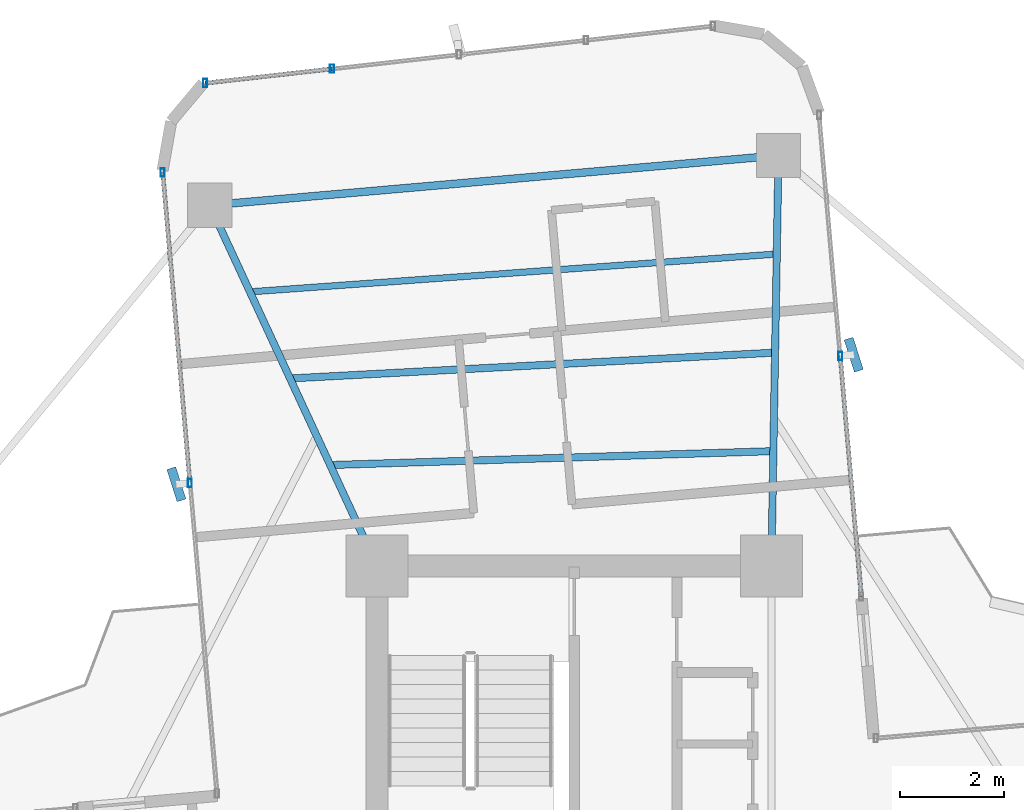
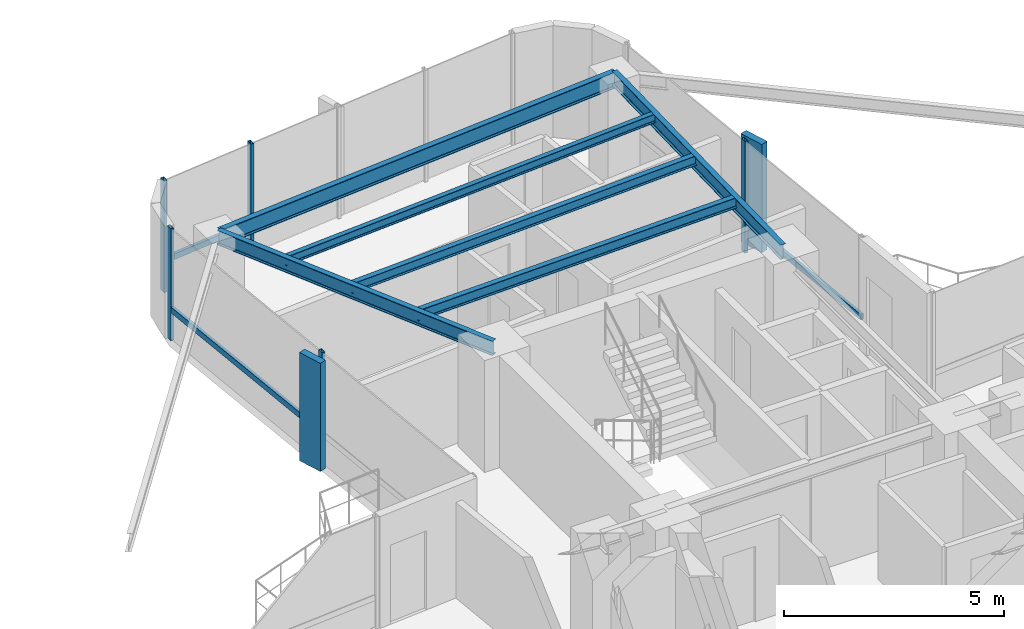
# One storey, part 16 of 24: 10 members, 6 beams, 3 elements without a shape of their own.
"""IFC4 building model written with IfcOpenShell, lengths in metres."""

import ifcopenshell
import ifcopenshell.guid

model = None  # the IFC model being written
_history = None  # IfcOwnerHistory: only IFC2X3 demands one
_inside = {}  # id of a spatial element -> (the spatial element, [elements in it])
_under = {}  # id of a project, library or spatial element -> (it, [spatial elements below it])
_declared = {}  # id of a project -> (the project, [libraries it declares])
_typed = {}  # id of a type object -> (the type object, [elements of that type])
_made_of = {}  # id of a material, layer set ... -> (it, [elements and type objects made of it])


def new_model(schema):
    """Start an empty IFC model of exactly this schema.

    Asked for "IFC4X3", IfcOpenShell would pick the latest addendum, in which some entities
    have other attributes; the version numbers below select the first issue.
    IFC2X3 requires an IfcOwnerHistory on every rooted entity: one is made here for all.
    """
    global model, _history
    if schema == "IFC4X3":
        model = ifcopenshell.file(schema_version=(4, 3, 0, 0))
    else:
        model = ifcopenshell.file(schema=schema)
    _inside.clear()
    _under.clear()
    _declared.clear()
    _typed.clear()
    _made_of.clear()
    _history = None
    if model.schema == "IFC2X3":
        org = make("IfcOrganization", Name="unknown")
        user = make(
            "IfcPersonAndOrganization",
            ThePerson=make("IfcPerson", FamilyName="unknown"),
            TheOrganization=org,
        )
        app = make(
            "IfcApplication",
            ApplicationDeveloper=org,
            Version="unknown",
            ApplicationFullName="unknown",
            ApplicationIdentifier="unknown",
        )
        _history = make(
            "IfcOwnerHistory",
            OwningUser=user,
            OwningApplication=app,
            ChangeAction="ADDED",
            CreationDate=0,
        )
    return model


def make(cls, **values):
    """One entity of the class cls with the attributes given. An attribute that is None is left unset."""
    return model.create_entity(
        cls, **{name: value for name, value in values.items() if value is not None}
    )


def rooted(cls, **values):
    """An entity with a GlobalId (a new one), such as an element, a storey or a relation."""
    return make(cls, GlobalId=ifcopenshell.guid.new(), OwnerHistory=_history, **values)


def si_unit(unit_type, name, prefix=None):
    """IfcSIUnit, for example si_unit("LENGTHUNIT", "METRE", prefix="MILLI")."""
    return make("IfcSIUnit", UnitType=unit_type, Prefix=prefix, Name=name)


def assignment(units):
    """IfcUnitAssignment: the units of a project."""
    return None if units is None else make("IfcUnitAssignment", Units=units)


def point(xyz):
    """IfcCartesianPoint."""
    return None if xyz is None else make("IfcCartesianPoint", Coordinates=xyz)


def direction(xyz):
    """IfcDirection."""
    return None if xyz is None else make("IfcDirection", DirectionRatios=xyz)


def frame(location, z_axis=None, x_axis=None):
    """IfcAxis2Placement3D, a coordinate frame: its origin and axes. An axis left out is left unset."""
    return make(
        "IfcAxis2Placement3D",
        Location=point(location),
        Axis=direction(z_axis),
        RefDirection=direction(x_axis),
    )


def frame_2d(location, x_axis=None):
    """IfcAxis2Placement2D, a coordinate frame in the plane: its origin and x axis."""
    return make(
        "IfcAxis2Placement2D", Location=point(location), RefDirection=direction(x_axis)
    )


def origin():
    """The frame at (0, 0, 0) with its axes left unset."""
    return frame((0.0, 0.0, 0.0))


def origin_2d():
    """The frame at (0, 0) in the plane with its x axis left unset."""
    return frame_2d((0.0, 0.0))


def place(relative_to, where):
    """IfcLocalPlacement: puts the frame where relative to a parent placement (None: the world)."""
    return make(
        "IfcLocalPlacement", PlacementRelTo=relative_to, RelativePlacement=where
    )


def context(
    kind, dimensions, precision=None, world=None, true_north=None, identifier=None
):
    """IfcGeometricRepresentationContext, for example the 3D "Model" context."""
    return make(
        "IfcGeometricRepresentationContext",
        ContextIdentifier=identifier,
        ContextType=kind,
        CoordinateSpaceDimension=dimensions,
        Precision=precision,
        WorldCoordinateSystem=world,
        TrueNorth=true_north,
    )


def subcontext(parent, identifier, kind, view, scale=None):
    """IfcGeometricRepresentationSubContext, for example "Body" below "Model"."""
    return make(
        "IfcGeometricRepresentationSubContext",
        ContextIdentifier=identifier,
        ContextType=kind,
        ParentContext=parent,
        TargetScale=scale,
        TargetView=view,
    )


def project(units=None, contexts=None):
    """IfcProject with its units and contexts."""
    return rooted(
        "IfcProject",
        Name="project",
        RepresentationContexts=contexts,
        UnitsInContext=assignment(units),
    )


def spatial(cls, under=None, at=None, **own):
    """A site, building, storey or space (cls), placed at a placement, below another one or the project."""
    s = rooted(cls, ObjectPlacement=at, **own)
    if under is not None:
        _under.setdefault(under.id(), (under, []))[1].append(s)
    return s


def profile(cls, at=None, kind="AREA", **sizes):
    """A parametric profile (cls). Its sizes go by their IFC names, for example OverallWidth=200.0."""
    return make(cls, ProfileType=kind, Position=at, **sizes)


def rectangle(**sizes):
    """IfcRectangleProfileDef."""
    return profile("IfcRectangleProfileDef", **sizes)


def hollow_rectangle(**sizes):
    """IfcRectangleHollowProfileDef."""
    return profile("IfcRectangleHollowProfileDef", **sizes)


def i_section(**sizes):
    """IfcIShapeProfileDef."""
    return profile("IfcIShapeProfileDef", **sizes)


def extrude(swept, where, along, depth):
    """IfcExtrudedAreaSolid: the profile swept, set in the frame where, extruded along a direction by depth."""
    return make(
        "IfcExtrudedAreaSolid",
        SweptArea=swept,
        Position=where,
        ExtrudedDirection=direction(along),
        Depth=depth,
    )


def shape(context_of_items, identifier, shape_type, items):
    """IfcShapeRepresentation: the items that make up one representation, for example the "Body"."""
    return make(
        "IfcShapeRepresentation",
        ContextOfItems=context_of_items,
        RepresentationIdentifier=identifier,
        RepresentationType=shape_type,
        Items=items,
    )


def source(mapping_origin, context_of_items, identifier, shape_type, items):
    """IfcRepresentationMap: a shape defined once, which mapped items show again and again."""
    return make(
        "IfcRepresentationMap",
        MappingOrigin=mapping_origin,
        MappedRepresentation=shape(context_of_items, identifier, shape_type, items),
    )


def transform(
    local_origin,
    x_axis=None,
    y_axis=None,
    z_axis=None,
    scale=None,
    scale2=None,
    scale3=None,
    uniform=True,
):
    """IfcCartesianTransformationOperator3D, or its non-uniform kind. x_axis, y_axis, z_axis: its Axis1, 2, 3."""
    if uniform:
        return make(
            "IfcCartesianTransformationOperator3D",
            Axis1=direction(x_axis),
            Axis2=direction(y_axis),
            LocalOrigin=point(local_origin),
            Scale=scale,
            Axis3=direction(z_axis),
        )
    return make(
        "IfcCartesianTransformationOperator3DnonUniform",
        Axis1=direction(x_axis),
        Axis2=direction(y_axis),
        LocalOrigin=point(local_origin),
        Scale=scale,
        Axis3=direction(z_axis),
        Scale2=scale2,
        Scale3=scale3,
    )


def mapped(mapping_source, mapping_target):
    """IfcMappedItem: shows the shape of a source again, moved by a transform."""
    return make(
        "IfcMappedItem", MappingSource=mapping_source, MappingTarget=mapping_target
    )


def material(Name=None, Category=None):
    """IfcMaterial."""
    return make("IfcMaterial", Name=Name, Category=Category)


def material_profile(
    of_material, cross_section, Name=None, Category=None, Priority=None
):
    """IfcMaterialProfile: a cross section and its material."""
    return make(
        "IfcMaterialProfile",
        Name=Name,
        Material=of_material,
        Profile=cross_section,
        Priority=Priority,
        Category=Category,
    )


def profile_set(profiles, Name=None, composite=None):
    """IfcMaterialProfileSet."""
    return make(
        "IfcMaterialProfileSet",
        Name=Name,
        MaterialProfiles=profiles,
        CompositeProfile=composite,
    )


def made_of(thing, what):
    """Note that an element or type object is made of a material, layer set ...; save() writes the relation."""
    if what is not None:
        _made_of.setdefault(what.id(), (what, []))[1].append(thing)
    return thing


def type_object(cls, material=None, **own):
    """A type object (cls), such as IfcWallType, which elements share."""
    return made_of(rooted(cls, **own), material)


def element(
    cls,
    number,
    at=None,
    inside=None,
    cuts=None,
    type_object=None,
    material=None,
    context=None,
    identifier="Body",
    shape_type=None,
    held_by="IfcProductDefinitionShape",
    body=None,
    shapes=None,
    **own,
):
    """One element of the class cls, such as IfcWall. Its Tag is "e" and its number.

    at: its placement. inside: the storey or other place that contains it. cuts: it is an
    opening in that element (IfcRelVoidsElement). A single representation is given by context,
    identifier, shape_type and body (its items); several are given by shapes. held_by: the class
    of the entity that holds the representations. save() writes the other relations.
    """
    e = rooted(cls, Tag="e%d" % number, ObjectPlacement=at, **own)
    if body is not None:
        shapes = [shape(context, identifier, shape_type, body)]
    if shapes is not None:
        e.Representation = make(held_by, Representations=shapes)
    if inside is not None:
        _inside.setdefault(inside.id(), (inside, []))[1].append(e)
    if cuts is not None:
        rooted(
            "IfcRelVoidsElement", RelatingBuildingElement=cuts, RelatedOpeningElement=e
        )
    if type_object is not None:
        _typed.setdefault(type_object.id(), (type_object, []))[1].append(e)
    return made_of(e, material)


def aggregate(whole, parts):
    """IfcRelAggregates: a whole, such as a stair, and the parts it consists of."""
    return rooted("IfcRelAggregates", RelatingObject=whole, RelatedObjects=parts)


def save(model, path):
    """Write the relations noted so far, then the file.

    IfcRelAggregates (storeys below a building ...), IfcRelContainedInSpatialStructure (elements
    in a storey), IfcRelDefinesByType, IfcRelAssociatesMaterial and IfcRelDeclares: one each for
    every whole, place, type object, material and project.
    """
    for whole, parts in _under.values():
        aggregate(whole, parts)
    for where, things in _inside.values():
        rooted(
            "IfcRelContainedInSpatialStructure",
            RelatedElements=things,
            RelatingStructure=where,
        )
    for kind, things in _typed.values():
        rooted("IfcRelDefinesByType", RelatedObjects=things, RelatingType=kind)
    for what, things in _made_of.values():
        rooted("IfcRelAssociatesMaterial", RelatedObjects=things, RelatingMaterial=what)
    for by, libraries in _declared.values():
        rooted("IfcRelDeclares", RelatingContext=by, RelatedDefinitions=libraries)
    model.write(path)


model = new_model("IFC4")

# Units and contexts
model_context = context("Model", 3, precision=1e-05, world=origin(), true_north=direction((0.0, 1.0)))
body_context = subcontext(model_context, "Body", "Model", "MODEL_VIEW")
ifc_project = project(units=[si_unit("LENGTHUNIT", "METRE"), si_unit("AREAUNIT", "SQUARE_METRE"), si_unit("VOLUMEUNIT", "CUBIC_METRE"), si_unit("PLANEANGLEUNIT", "RADIAN"), si_unit("MASSUNIT", "GRAM", prefix="KILO")], contexts=[model_context])

# Site, building, storey
site_placement = place(None, origin())
site = spatial("IfcSite", under=ifc_project, at=site_placement, CompositionType="ELEMENT")
building_placement = place(site_placement, origin())
building = spatial("IfcBuilding", under=site, at=building_placement, Name="Sahyath Konkavel Grand Hotel", CompositionType="ELEMENT")
storey_placement = place(building_placement, frame((0.0, 0.0, 153.949951171875)))
storey = spatial("IfcBuildingStorey", under=building, at=storey_placement, Name="L42", CompositionType="ELEMENT", Elevation=153.949951171875)

# Beams
ifc_material_1 = material(Name="Steel E350", Category="steel")
ifc_material_profile_1 = material_profile(ifc_material_1, i_section(OverallWidth=0.139892578125, OverallDepth=0.39990234375, WebThickness=0.0087890625, FlangeThickness=0.01611328125, FilletRadius=0.013916015625, at=origin_2d()), Name="ISMB 400")
ifc_profile_set_1 = profile_set([ifc_material_profile_1], Name="Steel E350")
beam_type_1 = type_object("IfcBeamType", Name="BM-ISMB400", PredefinedType="BEAM", material=ifc_profile_set_1)
shared_shape_1 = source(origin(), body_context, "Body", "SweptSolid", [
    extrude(i_section(OverallWidth=0.139892578125, OverallDepth=0.39990234375, WebThickness=0.0087890625, FlangeThickness=0.01611328125, FilletRadius=0.013916015625, at=origin_2d()), origin(), (0.0, 0.0, 1.0), 7.913330078125),
])
beam_1_placement = place(storey_placement, frame((3.800048828125, 10.199951171875, 2.91015625), z_axis=(0.017215419232, 0.999851803689, 0.0), x_axis=(-0.999851803689, 0.017215419232, 0.0)))
element("IfcBeam", 1, at=beam_1_placement, inside=storey, type_object=beam_type_1, Name="L42 Cruciform Radial Girder NA", PredefinedType="BEAM", context=body_context, shape_type="MappedRepresentation", body=[
    mapped(shared_shape_1, transform((0.0, 0.0, 0.0), scale=1.0)),
])
shared_shape_2 = source(origin(), body_context, "Body", "SweptSolid", [
    extrude(i_section(OverallWidth=0.139892578125, OverallDepth=0.39990234375, WebThickness=0.0087890625, FlangeThickness=0.01611328125, FilletRadius=0.013916015625, at=origin_2d()), origin(), (0.0, 0.0, 1.0), 7.66357421875),
])
beam_2_placement = place(storey_placement, frame((-3.800048828125, 10.199951171875, 2.91015625), z_axis=(-0.420395127561, 0.907341135804, 0.0), x_axis=(-0.907341135804, -0.420395127561, 0.0)))
element("IfcBeam", 2, at=beam_2_placement, inside=storey, type_object=beam_type_1, Name="L42 Cruciform Radial Girder NB", PredefinedType="BEAM", context=body_context, shape_type="MappedRepresentation", body=[
    mapped(shared_shape_2, transform((0.0, 0.0, 0.0), scale=1.0)),
])
ifc_material_profile_2 = material_profile(ifc_material_1, i_section(OverallWidth=0.14990234375, OverallDepth=0.449951171875, WebThickness=0.009521484375, FlangeThickness=0.017333984375, FilletRadius=0.014892578125, at=origin_2d()), Name="ISMB 450")
ifc_profile_set_2 = profile_set([ifc_material_profile_2], Name="Steel E350")
beam_type_2 = type_object("IfcBeamType", Name="BM-ISMB450", PredefinedType="BEAM", material=ifc_profile_set_2)
shared_shape_3 = source(origin(), body_context, "Body", "SweptSolid", [
    extrude(i_section(OverallWidth=0.14990234375, OverallDepth=0.449951171875, WebThickness=0.009521484375, FlangeThickness=0.017333984375, FilletRadius=0.014892578125, at=origin_2d()), origin(), (0.0, 0.0, 1.0), 10.999755859375),
])
beam_3_placement = place(storey_placement, frame((3.936279296875, 18.112060546875, 2.885009765625), z_axis=(-0.99619439202, -0.087159241098, 0.0), x_axis=(0.087159241098, -0.99619439202, 0.0)))
element("IfcBeam", 3, at=beam_3_placement, inside=storey, type_object=beam_type_2, Name="L42 Wing Tip Edge Beam N", PredefinedType="BEAM", context=body_context, shape_type="MappedRepresentation", body=[
    mapped(shared_shape_3, transform((0.0, 0.0, 0.0), scale=1.0)),
])
ifc_material_profile_3 = material_profile(ifc_material_1, i_section(OverallWidth=0.139892578125, OverallDepth=0.300048828125, WebThickness=0.0078125, FlangeThickness=0.01318359375, FilletRadius=0.013916015625, at=origin_2d()), Name="ISMB 300")
ifc_profile_set_3 = profile_set([ifc_material_profile_3], Name="Steel E350")
beam_type_3 = type_object("IfcBeamType", Name="BM-ISMB300", PredefinedType="BEAM", material=ifc_profile_set_3)
shared_shape_4 = source(origin(), body_context, "Body", "SweptSolid", [
    extrude(i_section(OverallWidth=0.139892578125, OverallDepth=0.300048828125, WebThickness=0.0078125, FlangeThickness=0.01318359375, FilletRadius=0.013916015625, at=origin_2d()), origin(), (0.0, 0.0, 1.0), 8.54443359375),
])
beam_4_placement = place(storey_placement, frame((3.838134765625, 12.415283203125, 2.9599609375), z_axis=(-0.999506849365, -0.031401561632, 0.0), x_axis=(0.031401561632, -0.999506849365, 0.0)))
element("IfcBeam", 4, at=beam_4_placement, inside=storey, type_object=beam_type_3, Name="L42 Secondary Floor Beam N-1", PredefinedType="BEAM", context=body_context, shape_type="MappedRepresentation", body=[
    mapped(shared_shape_4, transform((0.0, 0.0, 0.0), scale=1.0)),
])
ifc_material_profile_4 = material_profile(ifc_material_1, i_section(OverallWidth=0.139892578125, OverallDepth=0.27490234375, WebThickness=0.00634765625, FlangeThickness=0.0087890625, FilletRadius=0.012939453125, at=origin_2d()), Name="ISLB 275")
ifc_profile_set_4 = profile_set([ifc_material_profile_4], Name="Steel E350")
beam_type_4 = type_object("IfcBeamType", Name="BM-ISLB275", PredefinedType="BEAM", material=ifc_profile_set_4)
shared_shape_5 = source(origin(), body_context, "Body", "SweptSolid", [
    extrude(i_section(OverallWidth=0.139892578125, OverallDepth=0.27490234375, WebThickness=0.00634765625, FlangeThickness=0.0087890625, FilletRadius=0.012939453125, at=origin_2d()), origin(), (0.0, 0.0, 1.0), 9.359375),
])
beam_5_placement = place(storey_placement, frame((3.870849609375, 14.314208984375, 2.97265625), z_axis=(-0.998580397723, -0.053265272769, 0.0), x_axis=(0.053265272769, -0.998580397723, 0.0)))
element("IfcBeam", 5, at=beam_5_placement, inside=storey, type_object=beam_type_4, Name="L42 Secondary Floor Beam N-2", PredefinedType="BEAM", context=body_context, shape_type="MappedRepresentation", body=[
    mapped(shared_shape_5, transform((0.0, 0.0, 0.0), scale=1.0)),
])
ifc_material_profile_5 = material_profile(ifc_material_1, i_section(OverallWidth=0.125, OverallDepth=0.25, WebThickness=0.0068359375, FlangeThickness=0.012451171875, FilletRadius=0.012939453125, at=origin_2d()), Name="ISMB 250")
ifc_profile_set_5 = profile_set([ifc_material_profile_5], Name="Steel E350")
beam_type_5 = type_object("IfcBeamType", Name="BM-ISMB250", PredefinedType="BEAM", material=ifc_profile_set_5)
shared_shape_6 = source(origin(), body_context, "Body", "SweptSolid", [
    extrude(i_section(OverallWidth=0.125, OverallDepth=0.25, WebThickness=0.0068359375, FlangeThickness=0.012451171875, FilletRadius=0.012939453125, at=origin_2d()), origin(), (0.0, 0.0, 1.0), 10.178466796875),
])
beam_6_placement = place(storey_placement, frame((3.90380859375, 16.213134765625, 2.985107421875), z_axis=(-0.997435268886, -0.071574327683, 0.0), x_axis=(0.071574327683, -0.997435268886, 0.0)))
element("IfcBeam", 6, at=beam_6_placement, inside=storey, type_object=beam_type_5, Name="L42 Secondary Floor Beam N-3", PredefinedType="BEAM", context=body_context, shape_type="MappedRepresentation", body=[
    mapped(shared_shape_6, transform((0.0, 0.0, 0.0), scale=1.0)),
])

# Curtain wall, member
ifc_material_2 = material(Name="Anodised Bronze Aluminium & Low-E Glazing", Category="aluminium")
curtain_wall_type = type_object("IfcCurtainWallType", Name="CW-ZONE3", PredefinedType="NOTDEFINED", material=ifc_material_2)
curtain_wall_1_placement = place(storey_placement, origin())
curtain_wall_1 = element("IfcCurtainWall", 7, at=curtain_wall_1_placement, inside=storey, type_object=curtain_wall_type, Name="L42 Unitised Curtain Wall F8", PredefinedType="NOTDEFINED")
ifc_material_3 = material(Name="Warm Buff Sandstone Cladding on Concrete C50/60", Category="masonry")
ifc_material_profile_6 = material_profile(ifc_material_3, rectangle(XDim=0.179931640625, YDim=0.64990234375, at=origin_2d()), Name="FIN 180x650")
ifc_profile_set_6 = profile_set([ifc_material_profile_6], Name="Warm Buff Sandstone Cladding on Concrete C50/60")
member_type_1 = type_object("IfcMemberType", Name="FIN-SANDSTONE-650", PredefinedType="MULLION", material=ifc_profile_set_6)
shared_shape_7 = source(origin(), body_context, "Body", "SweptSolid", [
    extrude(rectangle(XDim=0.179931640625, YDim=0.64990234375, at=origin_2d()), origin(), (0.0, 0.0, 1.0), 3.010009765625),
])
member_1_placement = place(storey_placement, frame((5.386474609375, 14.273681640625, 0.050048828125), z_axis=(0.0, 0.0, 1.0), x_axis=(0.953032216634, 0.302868938746, 0.0)))
member_1 = element("IfcMember", 8, at=member_1_placement, type_object=member_type_1, Name="L42 Sandstone Vertical Solar Fin FIN F8-1", PredefinedType="MULLION", context=body_context, shape_type="MappedRepresentation", body=[
    mapped(shared_shape_7, transform((0.0, 0.0, 0.0), scale=1.0)),
])

curtain_wall_2_placement = place(storey_placement, origin())
curtain_wall_2 = element("IfcCurtainWall", 9, at=curtain_wall_2_placement, inside=storey, type_object=curtain_wall_type, Name="L42 Unitised Curtain Wall F15", PredefinedType="NOTDEFINED")
member_2_placement = place(storey_placement, frame((-7.66552734375, 11.776611328125, 0.050048828125), z_axis=(0.0, 0.0, 1.0), x_axis=(0.953032216634, 0.302868938746, 0.0)))
member_2 = element("IfcMember", 10, at=member_2_placement, type_object=member_type_1, Name="L42 Sandstone Vertical Solar Fin FIN F15-1", PredefinedType="MULLION", context=body_context, shape_type="MappedRepresentation", body=[
    mapped(shared_shape_7, transform((0.0, 0.0, 0.0), scale=1.0)),
])

# Member
ifc_material_4 = material(Name="Anodised Bronze Aluminium", Category="aluminium")
ifc_material_profile_7 = material_profile(ifc_material_4, hollow_rectangle(XDim=0.080078125, YDim=0.159912109375, WallThickness=0.006103515625, at=origin_2d()), Name="RHS 160x80x6")
ifc_profile_set_7 = profile_set([ifc_material_profile_7], Name="Anodised Bronze Aluminium")
member_type_2 = type_object("IfcMemberType", Name="CW-MUL-160", PredefinedType="MULLION", material=ifc_profile_set_7)
shared_shape_8 = source(origin(), body_context, "Body", "SweptSolid", [
    extrude(hollow_rectangle(XDim=0.080078125, YDim=0.159912109375, WallThickness=0.006103515625, at=origin_2d()), origin(), (0.0, 0.0, 1.0), 3.110107421875),
])
member_3_placement = place(storey_placement, frame((5.12744140625, 14.251220703125, 0.0), z_axis=(0.0, 0.0, 1.0), x_axis=(1.0, 0.0, 0.0)))
member_3 = element("IfcMember", 11, at=member_3_placement, type_object=member_type_2, Name="L42 Curtain Wall Mullion F8-1", PredefinedType="MULLION", context=body_context, shape_type="MappedRepresentation", body=[
    mapped(shared_shape_8, transform((0.0, 0.0, 0.0), scale=1.0)),
])

# Curtain wall, members
curtain_wall_3_placement = place(storey_placement, origin())
curtain_wall_3 = element("IfcCurtainWall", 12, at=curtain_wall_3_placement, inside=storey, type_object=curtain_wall_type, Name="L42 Unitised Curtain Wall F12", PredefinedType="NOTDEFINED")
member_4_placement = place(storey_placement, frame((-4.665771484375, 19.783203125, 0.0), z_axis=(0.0, 0.0, 1.0), x_axis=(1.0, 0.0, 0.0)))
member_4 = element("IfcMember", 13, at=member_4_placement, type_object=member_type_2, Name="L42 Curtain Wall Mullion F12-3", PredefinedType="MULLION", context=body_context, shape_type="MappedRepresentation", body=[
    mapped(shared_shape_8, transform((0.0, 0.0, 0.0), scale=1.0)),
])
member_5_placement = place(storey_placement, frame((-7.1123046875, 19.507568359375, 0.0), z_axis=(0.0, 0.0, 1.0), x_axis=(1.0, 0.0, 0.0)))
member_5 = element("IfcMember", 14, at=member_5_placement, type_object=member_type_2, Name="L42 Curtain Wall Mullion F12-4", PredefinedType="MULLION", context=body_context, shape_type="MappedRepresentation", body=[
    mapped(shared_shape_8, transform((0.0, 0.0, 0.0), scale=1.0)),
])

# Member
member_6_placement = place(storey_placement, frame((-7.930419921875, 17.78662109375, 0.0), z_axis=(0.0, 0.0, 1.0), x_axis=(1.0, 0.0, 0.0)))
member_6 = element("IfcMember", 15, at=member_6_placement, type_object=member_type_2, Name="L42 Curtain Wall Mullion F15-0", PredefinedType="MULLION", context=body_context, shape_type="MappedRepresentation", body=[
    mapped(shared_shape_8, transform((0.0, 0.0, 0.0), scale=1.0)),
])

member_7_placement = place(storey_placement, frame((-7.406494140625, 11.79931640625, 0.0), z_axis=(0.0, 0.0, 1.0), x_axis=(1.0, 0.0, 0.0)))
member_7 = element("IfcMember", 16, at=member_7_placement, type_object=member_type_2, Name="L42 Curtain Wall Mullion F15-1", PredefinedType="MULLION", context=body_context, shape_type="MappedRepresentation", body=[
    mapped(shared_shape_8, transform((0.0, 0.0, 0.0), scale=1.0)),
])

ifc_material_profile_8 = material_profile(ifc_material_4, hollow_rectangle(XDim=0.080078125, YDim=0.159912109375, WallThickness=0.006103515625, at=origin_2d()), Name="RHS 160x80x6")
ifc_profile_set_8 = profile_set([ifc_material_profile_8], Name="Anodised Bronze Aluminium")
member_type_3 = type_object("IfcMemberType", Name="CW-TRN-160", PredefinedType="USERDEFINED", material=ifc_profile_set_8)
shared_shape_9 = source(origin(), body_context, "Body", "SweptSolid", [
    extrude(hollow_rectangle(XDim=0.080078125, YDim=0.159912109375, WallThickness=0.006103515625, at=origin_2d()), origin(), (0.0, 0.0, 1.0), 4.66015625),
])
member_8_placement = place(storey_placement, frame((5.53369140625, 9.60888671875, 0.85009765625), z_axis=(-0.087176698736, 0.996192864458, 0.0), x_axis=(-0.996192864458, -0.087176698736, 0.0)))
member_8 = element("IfcMember", 17, at=member_8_placement, type_object=member_type_3, Name="L42 Curtain Wall Transom F8-0-spandrel", ObjectType="TRANSOM", PredefinedType="USERDEFINED", context=body_context, shape_type="MappedRepresentation", body=[
    mapped(shared_shape_9, transform((0.0, 0.0, 0.0), scale=1.0)),
])

aggregate(curtain_wall_1, [member_3, member_1, member_8])

shared_shape_10 = source(origin(), body_context, "Body", "SweptSolid", [
    extrude(hollow_rectangle(XDim=0.080078125, YDim=0.159912109375, WallThickness=0.006103515625, at=origin_2d()), origin(), (0.0, 0.0, 1.0), 2.4619140625),
])
member_9_placement = place(storey_placement, frame((-4.665771484375, 19.783203125, 0.85009765625), z_axis=(-0.993713263833, -0.111955121731, 0.0), x_axis=(0.111955121731, -0.993713263833, 0.0)))
member_9 = element("IfcMember", 18, at=member_9_placement, type_object=member_type_3, Name="L42 Curtain Wall Transom F12-3-spandrel", ObjectType="TRANSOM", PredefinedType="USERDEFINED", context=body_context, shape_type="MappedRepresentation", body=[
    mapped(shared_shape_10, transform((0.0, 0.0, 0.0), scale=1.0)),
])

aggregate(curtain_wall_3, [member_4, member_5, member_9])

shared_shape_11 = source(origin(), body_context, "Body", "SweptSolid", [
    extrude(hollow_rectangle(XDim=0.080078125, YDim=0.159912109375, WallThickness=0.006103515625, at=origin_2d()), origin(), (0.0, 0.0, 1.0), 6.01025390625),
])
member_10_placement = place(storey_placement, frame((-7.930419921875, 17.78662109375, 0.85009765625), z_axis=(0.087172997156, -0.996193188376, 0.0), x_axis=(0.996193188376, 0.087172997156, 0.0)))
member_10 = element("IfcMember", 19, at=member_10_placement, type_object=member_type_3, Name="L42 Curtain Wall Transom F15-0-spandrel", ObjectType="TRANSOM", PredefinedType="USERDEFINED", context=body_context, shape_type="MappedRepresentation", body=[
    mapped(shared_shape_11, transform((0.0, 0.0, 0.0), scale=1.0)),
])

aggregate(curtain_wall_2, [member_6, member_7, member_2, member_10])

save(model, "model.ifc")
